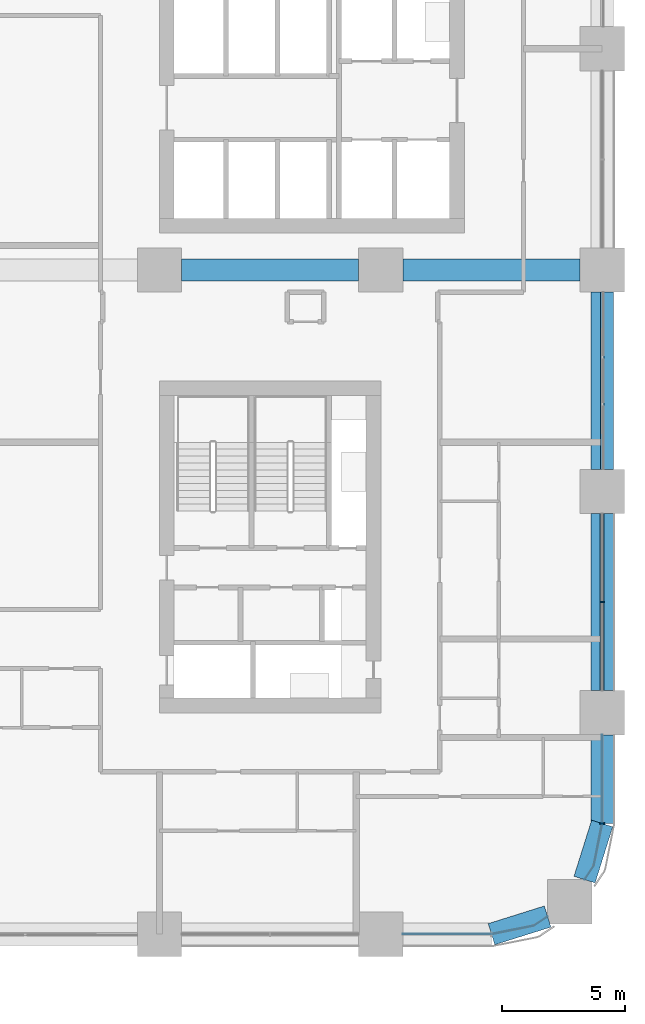
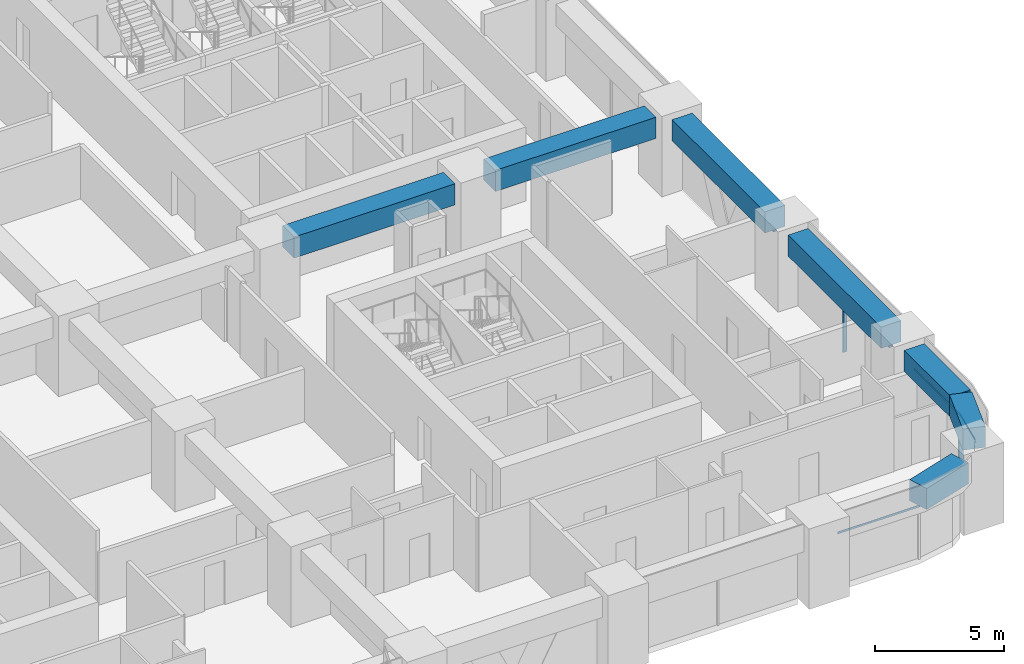
# One storey, part 6 of 24: 7 beams, 6 members, 4 elements without a shape of their own.
"""IFC4 building model written with IfcOpenShell, lengths in metres."""

from ifc_helpers import new_model, si_unit, direction, frame, origin, origin_2d, place, context, subcontext, project, spatial, polyline, rectangle, outline, extrude, material, material_profile, profile_set, type_object, element, aggregate, save


model = new_model("IFC4")

# Units and contexts
model_context = context("Model", 3, precision=1e-05, world=origin(), true_north=direction((0.0, 1.0)))
body_context = subcontext(model_context, "Body", "Model", "MODEL_VIEW")
ifc_project = project(units=[si_unit("LENGTHUNIT", "METRE"), si_unit("AREAUNIT", "SQUARE_METRE"), si_unit("VOLUMEUNIT", "CUBIC_METRE"), si_unit("PLANEANGLEUNIT", "RADIAN"), si_unit("MASSUNIT", "GRAM", prefix="KILO")], contexts=[model_context])

# Site, building, storey
site_placement = place(None, origin())
site = spatial("IfcSite", under=ifc_project, at=site_placement, CompositionType="ELEMENT")
building_placement = place(site_placement, origin())
building = spatial("IfcBuilding", under=site, at=building_placement, Name="Tessera Arch", CompositionType="ELEMENT")
storey_placement = place(building_placement, frame((0.0, 0.0, 38.60009765625)))
storey = spatial("IfcBuildingStorey", under=building, at=storey_placement, Name="L07", CompositionType="ELEMENT", Elevation=38.60009765625)

# Curtain wall, members
ifc_material_1 = material(Name="CW1 curtain wall")
curtain_wall_type_1 = type_object("IfcCurtainWallType", Name="CW1 curtain wall", PredefinedType="NOTDEFINED", material=ifc_material_1)
curtain_wall_1_placement = place(storey_placement, origin())
curtain_wall_1 = element("IfcCurtainWall", 1, at=curtain_wall_1_placement, inside=storey, type_object=curtain_wall_type_1, Name="CW1 curtain wall E54.0/1 L07", PredefinedType="NOTDEFINED")
ifc_material_2 = material(Name="Anodised aluminium pale metal", Category="aluminium")
ifc_material_profile_1 = material_profile(ifc_material_2, rectangle(XDim=0.159912109375, YDim=0.06005859375, at=origin_2d()), Name="AL 60x160")
ifc_profile_set_1 = profile_set([ifc_material_profile_1], Name="Anodised aluminium pale metal")
member_type_1 = type_object("IfcMemberType", Name="CW1 mullion", PredefinedType="MULLION", material=ifc_profile_set_1)
member_1_placement = place(storey_placement, frame((54.0, 13.5, 0.0), z_axis=(0.0, 0.0, 1.0), x_axis=(-1.0, 0.0, 0.0)))
member_1 = element("IfcMember", 2, at=member_1_placement, type_object=member_type_1, Name="CW1 mullion E54.0/1 1", PredefinedType="MULLION", context=body_context, shape_type="SweptSolid", body=[
    extrude(rectangle(XDim=0.159912109375, YDim=0.06005859375, at=origin_2d()), origin(), (0.0, 0.0, 1.0), 2.39990234375),
])
ifc_material_3 = material(Name="Anodised aluminium pale metal", Category="aluminium")
ifc_material_profile_2 = material_profile(ifc_material_3, rectangle(XDim=0.159912109375, YDim=0.10009765625, at=origin_2d()), Name="AL 160x100")
ifc_profile_set_2 = profile_set([ifc_material_profile_2], Name="Anodised aluminium pale metal")
member_type_2 = type_object("IfcMemberType", Name="CW1 transom", PredefinedType="USERDEFINED", material=ifc_profile_set_2)
member_2_placement = place(storey_placement, frame((54.0, 9.89990234375, 2.449951171875), z_axis=(0.0, 1.0, 0.0), x_axis=(-1.0, 0.0, 0.0)))
member_2 = element("IfcMember", 3, at=member_2_placement, type_object=member_type_2, Name="CW1 transom E54.0/1 1.1", ObjectType="TRANSOM", PredefinedType="USERDEFINED", context=body_context, shape_type="SweptSolid", body=[
    extrude(rectangle(XDim=0.159912109375, YDim=0.10009765625, at=origin_2d()), origin(), (0.0, 0.0, 1.0), 7.2001953125),
])
aggregate(curtain_wall_1, [member_1, member_2])

# Curtain wall, member
ifc_material_4 = material(Name="CW2 curtain wall")
curtain_wall_type_2 = type_object("IfcCurtainWallType", Name="CW2 curtain wall", PredefinedType="NOTDEFINED", material=ifc_material_4)
curtain_wall_2_placement = place(storey_placement, origin())
curtain_wall_2 = element("IfcCurtainWall", 4, at=curtain_wall_2_placement, inside=storey, type_object=curtain_wall_type_2, Name="CW2 curtain wall E54.0/0 L07", PredefinedType="NOTDEFINED")
ifc_material_5 = material(Name="Anodised aluminium pale metal", Category="aluminium")
ifc_material_profile_3 = material_profile(ifc_material_5, rectangle(XDim=0.199951171875, YDim=0.080078125, at=origin_2d()), Name="AL 80x200")
ifc_profile_set_3 = profile_set([ifc_material_profile_3], Name="Anodised aluminium pale metal")
member_type_3 = type_object("IfcMemberType", Name="CW2 mullion", PredefinedType="MULLION", material=ifc_profile_set_3)
member_3_placement = place(storey_placement, frame((54.0, 4.5, 0.0), z_axis=(0.0, 0.0, 1.0), x_axis=(-1.0, 0.0, 0.0)))
member_3 = element("IfcMember", 5, at=member_3_placement, type_object=member_type_3, Name="CW2 mullion E54.0/0 1", PredefinedType="MULLION", context=body_context, shape_type="SweptSolid", body=[
    extrude(rectangle(XDim=0.199951171875, YDim=0.080078125, at=origin_2d()), origin(), (0.0, 0.0, 1.0), 2.39990234375),
])

curtain_wall_3_placement = place(storey_placement, origin())
curtain_wall_3 = element("IfcCurtainWall", 6, at=curtain_wall_3_placement, inside=storey, type_object=curtain_wall_type_2, Name="CW2 curtain wall S0.0/4 L07", PredefinedType="NOTDEFINED")
ifc_material_6 = material(Name="Anodised aluminium pale metal", Category="aluminium")
ifc_material_profile_4 = material_profile(ifc_material_6, rectangle(XDim=0.199951171875, YDim=0.10009765625, at=origin_2d()), Name="AL 200x100")
ifc_profile_set_4 = profile_set([ifc_material_profile_4], Name="Anodised aluminium pale metal")
member_type_4 = type_object("IfcMemberType", Name="CW2 transom", PredefinedType="USERDEFINED", material=ifc_profile_set_4)
member_4_placement = place(storey_placement, frame((0.0, 0.0, 2.39990234375)))
member_4 = element("IfcMember", 7, at=member_4_placement, type_object=member_type_4, Name="CW2 transom S0.0/4 1", ObjectType="TRANSOM", PredefinedType="USERDEFINED", context=body_context, shape_type="SweptSolid", body=[
    extrude(outline(polyline([(49.4990234375, 0.010009765625), (45.89990234375, 0.010009765625), (45.89990234375, -0.010009765625), (49.5009765625, -0.010009765625), (51.22607421875, 0.3330078125), (51.78759765625, 0.70849609375), (51.7763671875, 0.72509765625), (51.21826171875, 0.351806640625), (49.4990234375, 0.010009765625)])), origin(), (0.0, 0.0, 1.0), 0.10009765625),
])
aggregate(curtain_wall_3, [member_4])

# Member
member_5_placement = place(storey_placement, frame((0.0, 0.0, 2.39990234375)))
member_5 = element("IfcMember", 8, at=member_5_placement, type_object=member_type_4, Name="CW2 transom E54.0/0 1", ObjectType="TRANSOM", PredefinedType="USERDEFINED", context=body_context, shape_type="SweptSolid", body=[
    extrude(outline(polyline([(53.648193359375, 2.78173828125), (53.27490234375, 2.2236328125), (53.29150390625, 2.21240234375), (53.6669921875, 2.77392578125), (54.010009765625, 4.4990234375), (54.010009765625, 8.10009765625), (53.989990234375, 8.10009765625), (53.989990234375, 4.5009765625), (53.648193359375, 2.78173828125)])), origin(), (0.0, 0.0, 1.0), 0.10009765625),
])

aggregate(curtain_wall_2, [member_3, member_5])

# Curtain wall, member
ifc_material_7 = material(Name="CW3 curtain wall")
curtain_wall_type_3 = type_object("IfcCurtainWallType", Name="CW3 curtain wall", PredefinedType="NOTDEFINED", material=ifc_material_7)
curtain_wall_4_placement = place(storey_placement, origin())
curtain_wall_4 = element("IfcCurtainWall", 9, at=curtain_wall_4_placement, inside=storey, type_object=curtain_wall_type_3, Name="CW3 curtain wall E54.0/2 L07", PredefinedType="NOTDEFINED")
ifc_material_8 = material(Name="Anodised aluminium pale metal", Category="aluminium")
ifc_material_profile_5 = material_profile(ifc_material_8, rectangle(XDim=0.139892578125, YDim=0.10009765625, at=origin_2d()), Name="AL 140x100")
ifc_profile_set_5 = profile_set([ifc_material_profile_5], Name="Anodised aluminium pale metal")
member_type_5 = type_object("IfcMemberType", Name="CW3 transom", PredefinedType="USERDEFINED", material=ifc_profile_set_5)
member_6_placement = place(storey_placement, frame((54.0, 18.89990234375, 2.449951171875), z_axis=(0.0, 1.0, 0.0), x_axis=(-1.0, 0.0, 0.0)))
member_6 = element("IfcMember", 10, at=member_6_placement, type_object=member_type_5, Name="CW3 transom E54.0/2 1.1", ObjectType="TRANSOM", PredefinedType="USERDEFINED", context=body_context, shape_type="SweptSolid", body=[
    extrude(rectangle(XDim=0.139892578125, YDim=0.10009765625, at=origin_2d()), origin(), (0.0, 0.0, 1.0), 7.2001953125),
])
aggregate(curtain_wall_4, [member_6])

# Beams
ifc_material_9 = material(Name="Concrete C80/95", Category="concrete")
ifc_material_profile_6 = material_profile(ifc_material_9, rectangle(XDim=0.89990234375, YDim=1.0, at=origin_2d()), Name="RC spandrel beam 900 x 1000 Concrete C80/95")
ifc_profile_set_6 = profile_set([ifc_material_profile_6], Name="Concrete C80/95")
beam_type = type_object("IfcBeamType", Name="RC spandrel beam 900 x 1000 Concrete C80/95", PredefinedType="BEAM", material=ifc_profile_set_6)
for number, where, z_axis, x_axis, name in (
    (11, (49.5, 0.0, 3.0), (0.954041251279, 0.299675309057, 0.0), (-0.299675309057, 0.954041251279, 0.0), "Spandrel beam L07 S0.0/4.2"),
    (12, (53.283203125, 2.218017578125, 3.0), (0.299675309057, 0.954041251279, 0.0), (-0.954041251279, 0.299675309057, 0.0), "Spandrel beam L07 E54.0/0.1"),
):
    element("IfcBeam", number, at=place(storey_placement, frame(where, z_axis=z_axis, x_axis=x_axis)), inside=storey, type_object=beam_type, Name=name, PredefinedType="BEAM", context=body_context, shape_type="SweptSolid", body=[
        extrude(rectangle(XDim=0.89990234375, YDim=1.0, at=origin_2d()), origin(), (0.0, 0.0, 1.0), 2.391845703125),
    ])
beam_placement = place(storey_placement, frame((54.0, 4.5, 3.0), z_axis=(0.0, 1.0, 0.0), x_axis=(-1.0, 0.0, 0.0)))
element("IfcBeam", 13, at=beam_placement, inside=storey, type_object=beam_type, Name="Spandrel beam L07 E54.0/0.2", PredefinedType="BEAM", context=body_context, shape_type="SweptSolid", body=[
    extrude(rectangle(XDim=0.89990234375, YDim=1.0, at=origin_2d()), origin(), (0.0, 0.0, 1.0), 3.60009765625),
])
for number, where, z_axis, x_axis, name in (
    (14, (54.0, 9.89990234375, 3.0), (0.0, 1.0, 0.0), (-1.0, 0.0, 0.0), "Spandrel beam L07 E54.0/1"),
    (15, (54.0, 18.89990234375, 3.0), (0.0, 1.0, 0.0), (-1.0, 0.0, 0.0), "Spandrel beam L07 E54.0/2"),
    (16, (36.89990234375, 27.0, 3.0), (1.0, 0.0, 0.0), (0.0, 1.0, 0.0), "Interface beam L07 I1C5D-C6D"),
    (17, (45.89990234375, 27.0, 3.0), (1.0, 0.0, 0.0), (0.0, 1.0, 0.0), "Interface beam L07 I1C6D-C7D"),
):
    element("IfcBeam", number, at=place(storey_placement, frame(where, z_axis=z_axis, x_axis=x_axis)), inside=storey, type_object=beam_type, Name=name, PredefinedType="BEAM", context=body_context, shape_type="SweptSolid", body=[
        extrude(rectangle(XDim=0.89990234375, YDim=1.0, at=origin_2d()), origin(), (0.0, 0.0, 1.0), 7.2001953125),
    ])

save(model, "model.ifc")
